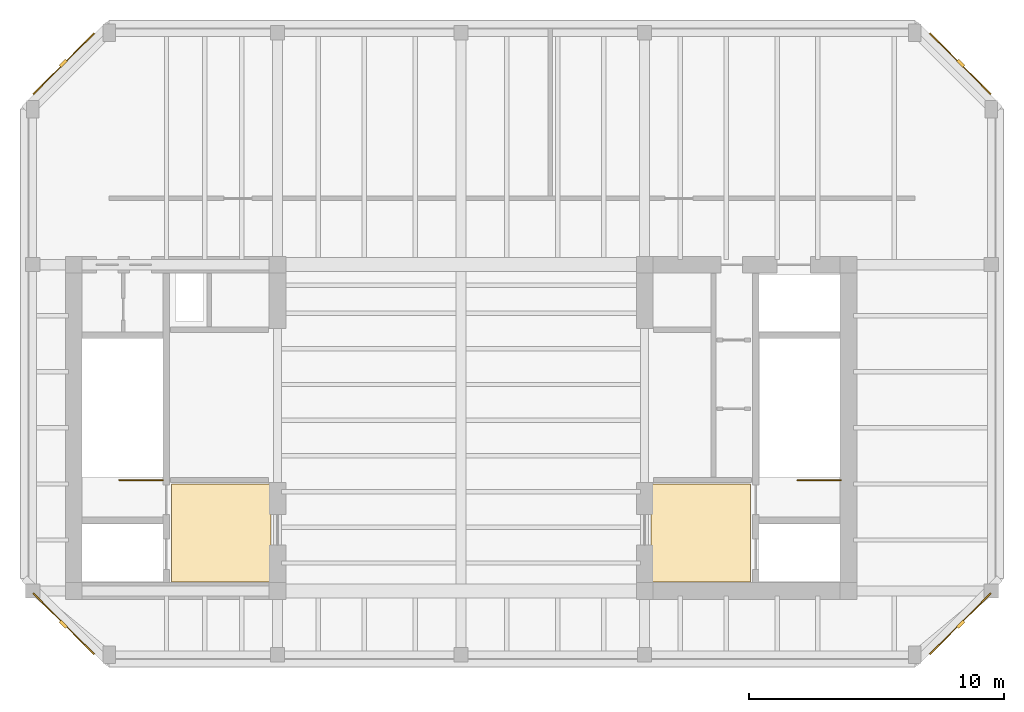
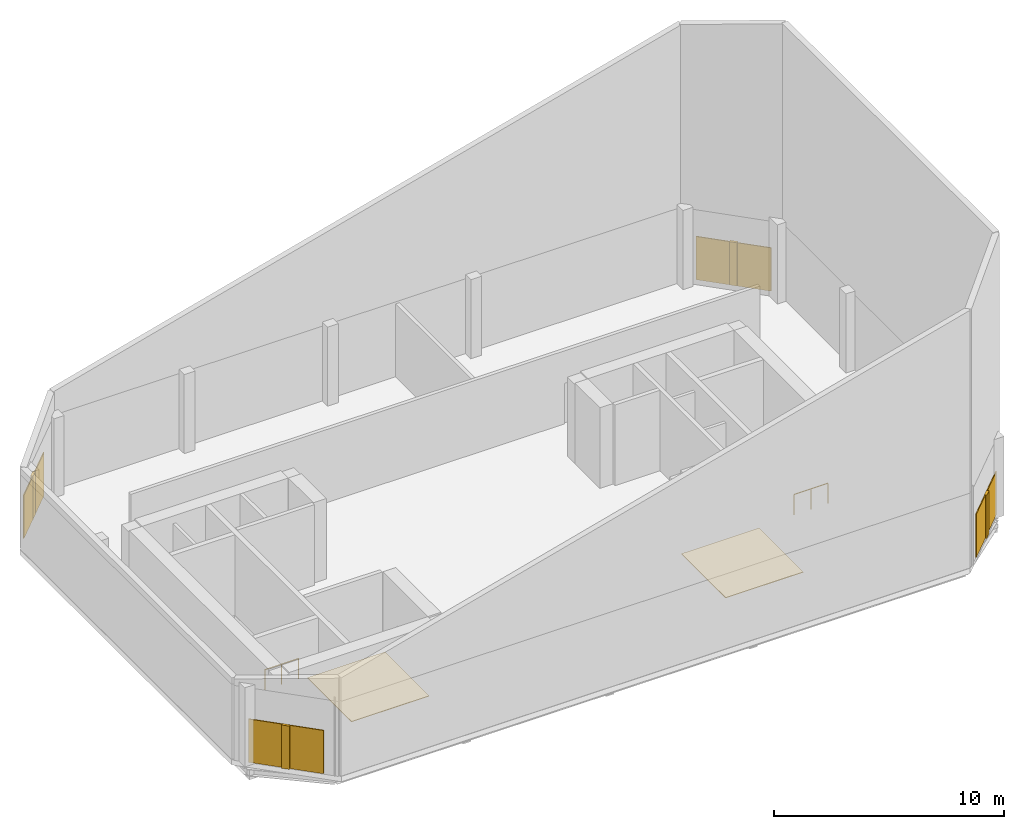
# One storey, part 4 of 4: 6 coverings, 4 shading devices, 2 railings.
"""IFC4 building model written with IfcOpenShell, lengths in metres."""

from ifc_helpers import new_model, si_unit, direction, frame, origin, origin_2d, place, context, subcontext, project, spatial, polyline, rectangle, circle, outline, extrude, material, layer, layer_set, type_object, element, save


model = new_model("IFC4")

# Units and contexts
model_context = context("Model", 3, precision=1e-05, world=origin(), true_north=direction((0.0, 1.0)))
body_context = subcontext(model_context, "Body", "Model", "MODEL_VIEW")
ifc_project = project(units=[si_unit("LENGTHUNIT", "METRE"), si_unit("AREAUNIT", "SQUARE_METRE"), si_unit("VOLUMEUNIT", "CUBIC_METRE"), si_unit("PLANEANGLEUNIT", "RADIAN"), si_unit("MASSUNIT", "GRAM", prefix="KILO")], contexts=[model_context])

# Site, building, storey
site_placement = place(None, origin())
site = spatial("IfcSite", under=ifc_project, at=site_placement, CompositionType="ELEMENT")
building_placement = place(site_placement, origin())
building = spatial("IfcBuilding", under=site, at=building_placement, Name="Kranthara Brick Stack", CompositionType="ELEMENT")
storey_placement = place(building_placement, frame((0.0, 0.0, 309.0)))
storey = spatial("IfcBuildingStorey", under=building, at=storey_placement, Name="L81", CompositionType="ELEMENT", Elevation=309.0)

# Coverings
ifc_material_1 = material(Name="Warm buff kiln-fired brick slip rainscreen", Category="masonry")
ifc_layer_1 = layer(ifc_material_1, 0.044921875)
ifc_layer_set_1 = layer_set([ifc_layer_1], Name="Warm buff kiln-fired brick slip rainscreen")
covering_type_1 = type_object("IfcCoveringType", Name="COV-CLAD-BRICK", PredefinedType="CLADDING", material=ifc_layer_set_1)
for number, where, z_axis, x_axis, name in (
    (1, (12.414794921875, 19.514892578125, 0.0498046875), (0.0, 0.0, 1.0), (-0.707106781187, 0.707106781187, 0.0), "L81 Chamfer Brick Rainscreen Cladding SW"),
    (2, (12.414794921875, 41.485107421875, 0.0498046875), (0.0, 0.0, 1.0), (0.707106781187, 0.707106781187, 0.0), "L81 Chamfer Brick Rainscreen Cladding NW"),
    (3, (47.585205078125, 41.485107421875, 0.0498046875), (0.0, 0.0, 1.0), (0.707106781187, -0.707106781187, 0.0), "L81 Chamfer Brick Rainscreen Cladding NE"),
    (4, (47.585205078125, 19.514892578125, 0.0498046875), (0.0, 0.0, 1.0), (-0.707106781187, -0.707106781187, 0.0), "L81 Chamfer Brick Rainscreen Cladding SE"),
):
    element("IfcCovering", number, at=place(storey_placement, frame(where, z_axis=z_axis, x_axis=x_axis)), inside=storey, type_object=covering_type_1, Name=name, PredefinedType="CLADDING", context=body_context, shape_type="SweptSolid", body=[
        extrude(rectangle(XDim=3.39111328125, YDim=0.044921875, at=origin_2d()), origin(), (0.0, 0.0, 1.0), 2.300048828125),
    ])
ifc_material_2 = material(Name="Honed terrazzo and porcelain floor finish", Category="stone")
ifc_layer_2 = layer(ifc_material_2, 0.030029296875)
ifc_layer_set_2 = layer_set([ifc_layer_2], Name="Honed terrazzo and porcelain floor finish")
covering_type_2 = type_object("IfcCoveringType", Name="COV-FLOR-STONE", PredefinedType="FLOORING", material=ifc_layer_set_2)
covering_1_placement = place(storey_placement, origin())
element("IfcCovering", 5, at=covering_1_placement, inside=storey, type_object=covering_type_2, Name="L81 Lift Lobby Stone Flooring", PredefinedType="FLOORING", context=body_context, shape_type="SweptSolid", body=[
    extrude(outline(polyline([(20.550048828125, 21.14990234375), (20.550048828125, 25.0), (16.64990234375, 25.0), (16.64990234375, 21.14990234375), (20.550048828125, 21.14990234375)])), origin(), (0.0, 0.0, 1.0), 0.030029296875),
])
covering_2_placement = place(storey_placement, origin())
element("IfcCovering", 6, at=covering_2_placement, inside=storey, type_object=covering_type_2, Name="L81 Lift Lobby Stone Flooring", PredefinedType="FLOORING", context=body_context, shape_type="SweptSolid", body=[
    extrude(outline(polyline([(39.35009765625, 21.14990234375), (39.35009765625, 25.0), (35.449951171875, 25.0), (35.449951171875, 21.14990234375), (39.35009765625, 21.14990234375)])), origin(), (0.0, 0.0, 1.0), 0.030029296875),
])

# Railings
ifc_material_3 = material(Name="Painted galvanized steel stair guardrail", Category="steel")
railing_type = type_object("IfcRailingType", Name="RL-STAIR-GUARD-1100", PredefinedType="GUARDRAIL", material=ifc_material_3)
for number, where, name in (
    (7, (16.300048828125, 25.14990234375, 0.0), "L81 ST01 top well guard 1"),
    (8, (42.89990234375, 25.14990234375, 0.0), "L81 ST02 top well guard 1"),
):
    element("IfcRailing", number, at=place(storey_placement, frame(where)), inside=storey, type_object=railing_type, Name=name, PredefinedType="GUARDRAIL", context=body_context, shape_type="SweptSolid", body=[
        extrude(circle(Radius=0.02392578125, at=origin_2d()), frame((0.0, 0.0, 1.076171875), z_axis=(-1.0, 0.0, 0.0), x_axis=(0.0, -1.0, 0.0)), (0.0, 0.0, 1.0), 1.699951171875),
        extrude(circle(Radius=0.02099609375, at=origin_2d()), origin(), (0.0, 0.0, 1.0), 1.052001953125),
        extrude(circle(Radius=0.02099609375, at=origin_2d()), frame((-0.85009765625, 0.0, 0.0)), (0.0, 0.0, 1.0), 1.052001953125),
        extrude(circle(Radius=0.02099609375, at=origin_2d()), frame((-1.699951171875, 0.0, 0.0)), (0.0, 0.0, 1.0), 1.052001953125),
    ])

# Shading devices
ifc_material_4 = material(Name="Kiln-fired terracotta aerodynamic wind fin", Category="masonry")
shading_device_type = type_object("IfcShadingDeviceType", Name="SHD-BAFFLE-CORNER", PredefinedType="SHUTTER", material=ifc_material_4)
for number, where, z_axis, x_axis, name in (
    (9, (12.3935546875, 19.49365234375, 0.0498046875), (0.0, 0.0, 1.0), (-0.707106781187, 0.707106781187, 0.0), "L81 Chamfer Wind-Baffle Fin SW"),
    (10, (12.3935546875, 41.50634765625, 0.0498046875), (0.0, 0.0, 1.0), (0.707106781187, 0.707106781187, 0.0), "L81 Chamfer Wind-Baffle Fin NW"),
    (11, (47.6064453125, 41.50634765625, 0.0498046875), (0.0, 0.0, 1.0), (0.707106781187, -0.707106781187, 0.0), "L81 Chamfer Wind-Baffle Fin NE"),
    (12, (47.6064453125, 19.49365234375, 0.0498046875), (0.0, 0.0, 1.0), (-0.707106781187, -0.707106781187, 0.0), "L81 Chamfer Wind-Baffle Fin SE"),
):
    element("IfcShadingDevice", number, at=place(storey_placement, frame(where, z_axis=z_axis, x_axis=x_axis)), inside=storey, type_object=shading_device_type, Name=name, PredefinedType="SHUTTER", context=body_context, shape_type="SweptSolid", body=[
        extrude(rectangle(XDim=0.35009765625, YDim=0.1201171875, at=origin_2d()), origin(), (0.0, 0.0, 1.0), 2.300048828125),
    ])

save(model, "model.ifc")
